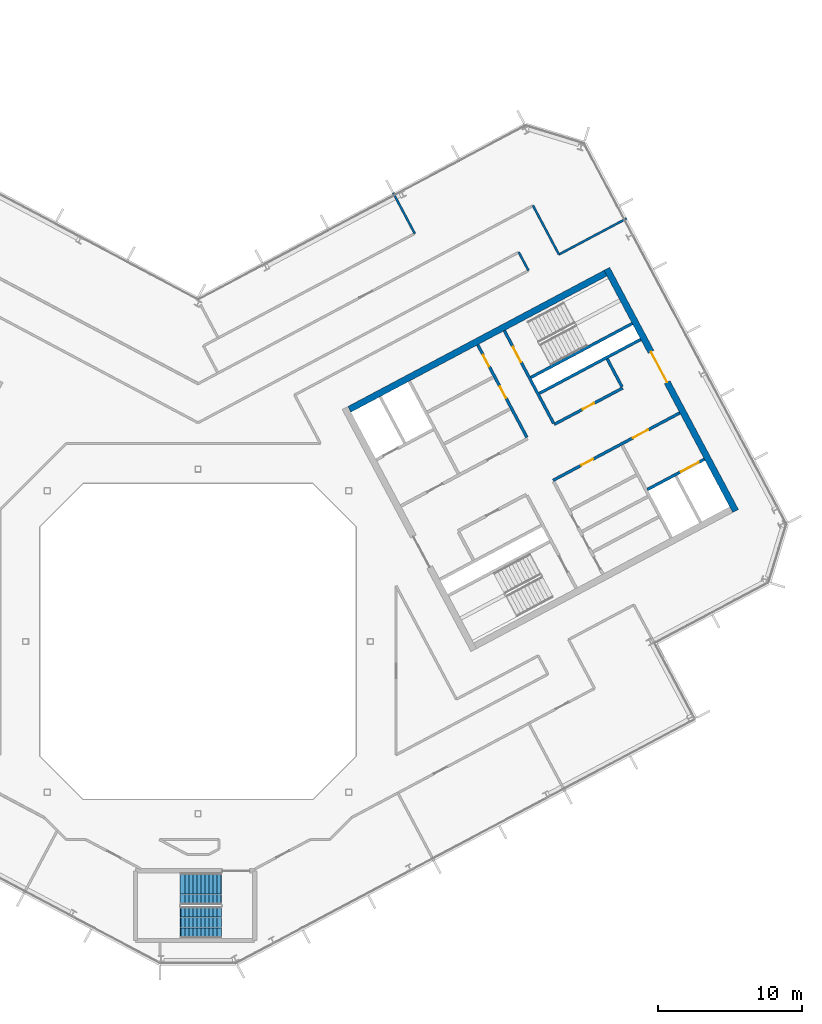
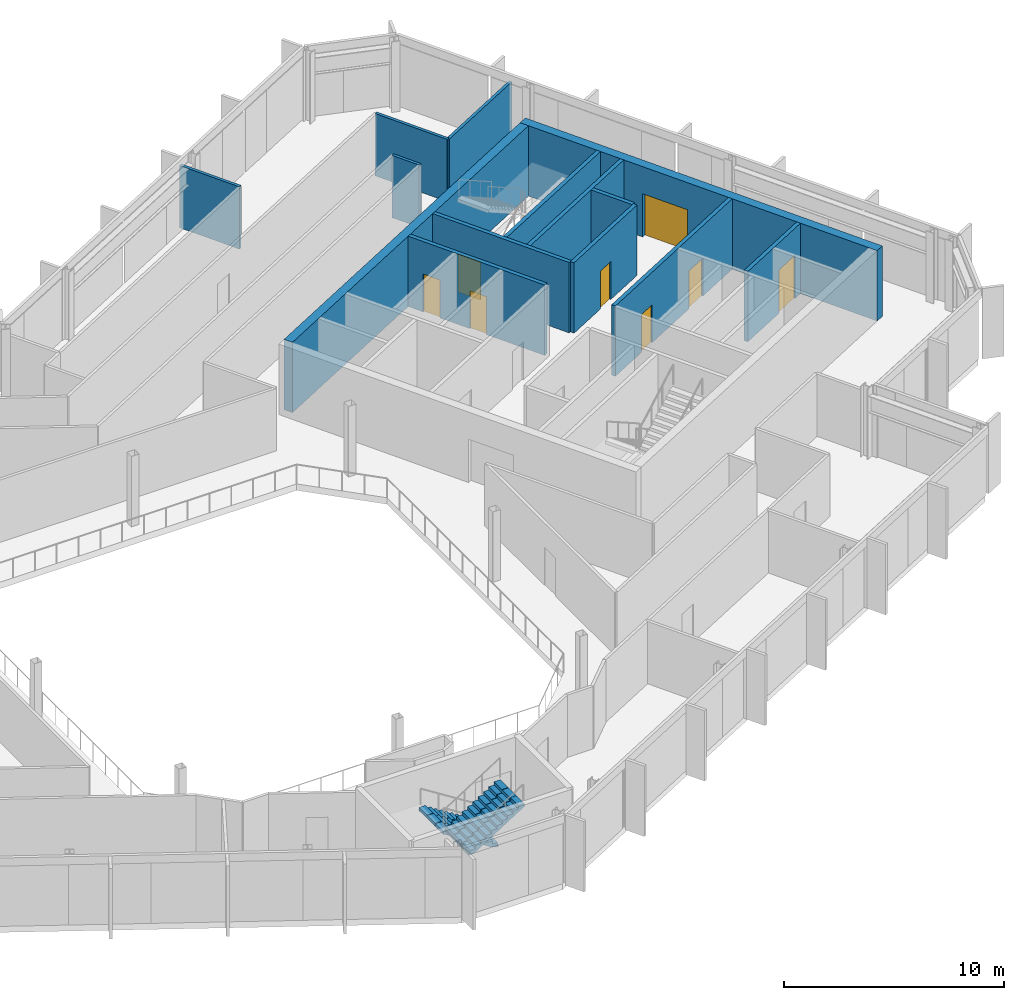
# One storey, part 17 of 26: 14 walls, 8 doors, 2 stair flights, 8 openings, 1 element without a shape of its own.
"""IFC4 building model written with IfcOpenShell, lengths in metres."""

from ifc_helpers import new_model, si_unit, direction, frame, frame_2d, origin, place, context, subcontext, project, spatial, polyline, rectangle, outline, extrude, material, layer, layer_set, type_object, element, fill, aggregate, save


model = new_model("IFC4")

# Units and contexts
model_context = context("Model", 3, precision=1e-05, world=origin(), true_north=direction((0.0, 1.0)))
body_context = subcontext(model_context, "Body", "Model", "MODEL_VIEW")
ifc_project = project(units=[si_unit("LENGTHUNIT", "METRE"), si_unit("AREAUNIT", "SQUARE_METRE"), si_unit("VOLUMEUNIT", "CUBIC_METRE"), si_unit("PLANEANGLEUNIT", "RADIAN"), si_unit("MASSUNIT", "GRAM", prefix="KILO")], contexts=[model_context])

# Site, building, storey
site_placement = place(None, origin())
site = spatial("IfcSite", under=ifc_project, at=site_placement, CompositionType="ELEMENT")
building_placement = place(site_placement, origin())
building = spatial("IfcBuilding", under=site, at=building_placement, Name="Cormorant Relay Tower", CompositionType="ELEMENT")
storey_placement = place(building_placement, frame((0.0, 0.0, 316.5)))
storey = spatial("IfcBuildingStorey", under=building, at=storey_placement, Name="L72", CompositionType="ELEMENT", Elevation=316.5)

# Wall, openings, doors
ifc_material_1 = material(Name="Concrete 50 MPa", Category="concrete")
ifc_layer_1 = layer(ifc_material_1, 0.199951171875)
ifc_layer_set_1 = layer_set([ifc_layer_1], Name="Core shaft wall 200")
wall_type_1 = type_object("IfcWallType", Name="Core shaft wall 200", PredefinedType="SHEAR", material=ifc_layer_set_1)
wall_1_placement = place(storey_placement, frame((22.90625, 14.218017578125, 0.0), z_axis=(0.0, 0.0, 1.0), x_axis=(-0.469480409012, 0.88294288918, 0.0)))
wall_1 = element("IfcWall", 1, at=wall_1_placement, inside=storey, type_object=wall_type_1, Name="L72 core B shaft wall", PredefinedType="SHEAR", context=body_context, shape_type="SweptSolid", body=[
    extrude(rectangle(XDim=7.300048828125, YDim=0.199951171875, at=frame_2d((3.64990234375, 0.0))), origin(), (0.0, 0.0, 1.0), 3.89990234375),
])
opening_1_placement = place(wall_1_placement, frame((3.10009765625, 0.0, 0.0)))
opening_1 = element("IfcOpeningElement", 2, at=opening_1_placement, cuts=wall_1, Name="Opening CDD-348", PredefinedType="OPENING", context=body_context, shape_type="SweptSolid", body=[
    extrude(rectangle(XDim=0.89990234375, YDim=2.10009765625, at=frame_2d((0.449951171875, 1.050048828125))), frame((0.0, 0.10986328125, 0.0), z_axis=(0.0, -1.0, 0.0), x_axis=(1.0, 0.0, 0.0)), (0.0, 0.0, 1.0), 0.219970703125),
])
opening_2_placement = place(wall_1_placement, frame((5.60009765625, 0.0, 0.0)))
opening_2 = element("IfcOpeningElement", 3, at=opening_2_placement, cuts=wall_1, Name="Opening CDD-349", PredefinedType="OPENING", context=body_context, shape_type="SweptSolid", body=[
    extrude(rectangle(XDim=0.89990234375, YDim=2.10009765625, at=frame_2d((0.449951171875, 1.050048828125))), frame((0.0, 0.10986328125, 0.0), z_axis=(0.0, -1.0, 0.0), x_axis=(1.0, 0.0, 0.0)), (0.0, 0.0, 1.0), 0.219970703125),
])
ifc_material_2 = material(Name="Steel fire door", Category="steel")
door_type_1 = type_object("IfcDoorType", Name="Core room door 900x2100", OperationType="SINGLE_SWING_LEFT", PredefinedType="DOOR", material=ifc_material_2)
door_1_placement = place(opening_1_placement, origin())
door_1 = element("IfcDoor", 4, at=door_1_placement, inside=storey, type_object=door_type_1, Name="Core room door 900x2100", OperationType="SINGLE_SWING_RIGHT", OverallHeight=2.10009765625, OverallWidth=0.89990234375, PredefinedType="DOOR", context=body_context, shape_type="SweptSolid", body=[
    extrude(rectangle(XDim=0.89990234375, YDim=2.10009765625, at=frame_2d((0.449951171875, 1.050048828125))), frame((0.0, 0.02490234375, 0.0), z_axis=(0.0, -1.0, 0.0), x_axis=(1.0, 0.0, 0.0)), (0.0, 0.0, 1.0), 0.050048828125),
])
fill(opening_1, door_1)
door_2_placement = place(opening_2_placement, origin())
door_2 = element("IfcDoor", 5, at=door_2_placement, inside=storey, type_object=door_type_1, Name="Core room door 900x2100", OperationType="SINGLE_SWING_LEFT", OverallHeight=2.10009765625, OverallWidth=0.89990234375, PredefinedType="DOOR", context=body_context, shape_type="SweptSolid", body=[
    extrude(rectangle(XDim=0.89990234375, YDim=2.10009765625, at=frame_2d((0.449951171875, 1.050048828125))), frame((0.0, 0.02490234375, 0.0), z_axis=(0.0, -1.0, 0.0), x_axis=(1.0, 0.0, 0.0)), (0.0, 0.0, 1.0), 0.050048828125),
])
fill(opening_2, door_2)

# Wall, opening, door
wall_2_placement = place(storey_placement, frame((24.760498046875, 15.2041015625, 0.0), z_axis=(0.0, 0.0, 1.0), x_axis=(-0.469494272526, 0.882935517501, 0.0)))
wall_2 = element("IfcWall", 6, at=wall_2_placement, inside=storey, type_object=wall_type_1, Name="L72 core B shaft wall", PredefinedType="SHEAR", context=body_context, shape_type="SweptSolid", body=[
    extrude(rectangle(XDim=7.2998046875, YDim=0.199951171875, at=frame_2d((3.64990234375, 0.0))), origin(), (0.0, 0.0, 1.0), 3.89990234375),
])
opening_3_placement = place(wall_2_placement, frame((4.800048828125, 0.0, 0.0)))
opening_3 = element("IfcOpeningElement", 7, at=opening_3_placement, cuts=wall_2, Name="Opening CDB-041", PredefinedType="OPENING", context=body_context, shape_type="SweptSolid", body=[
    extrude(rectangle(XDim=1.199951171875, YDim=2.10009765625, at=frame_2d((0.60009765625, 1.050048828125))), frame((0.0, 0.10986328125, 0.0), z_axis=(0.0, -1.0, 0.0), x_axis=(1.0, 0.0, 0.0)), (0.0, 0.0, 1.0), 0.219970703125),
])
ifc_material_3 = material(Name="Steel fire door", Category="steel")
door_type_2 = type_object("IfcDoorType", Name="Core stair door 1200x2100", OperationType="SINGLE_SWING_LEFT", PredefinedType="DOOR", material=ifc_material_3)
door_3_placement = place(opening_3_placement, frame((1.199951171875, 0.0, 0.0), z_axis=(0.0, 0.0, 1.0), x_axis=(-1.0, 0.0, 0.0)))
door_3 = element("IfcDoor", 8, at=door_3_placement, inside=storey, type_object=door_type_2, Name="Core stair door 1200x2100", OperationType="SINGLE_SWING_RIGHT", OverallHeight=2.10009765625, OverallWidth=1.199951171875, PredefinedType="DOOR", context=body_context, shape_type="SweptSolid", body=[
    extrude(rectangle(XDim=1.199951171875, YDim=2.10009765625, at=frame_2d((0.60009765625, 1.050048828125))), frame((0.0, 0.02490234375, 0.0), z_axis=(0.0, -1.0, 0.0), x_axis=(1.0, 0.0, 0.0)), (0.0, 0.0, 1.0), 0.050048828125),
])
fill(opening_3, door_3)

# Wall
wall_3_placement = place(storey_placement, frame((29.5283203125, 17.739013671875, 0.0), z_axis=(0.0, 0.0, 1.0), x_axis=(-0.469401318492, 0.882984938828, 0.0)))
element("IfcWall", 9, at=wall_3_placement, inside=storey, type_object=wall_type_1, Name="L72 core B shaft wall", PredefinedType="SHEAR", context=body_context, shape_type="SweptSolid", body=[
    extrude(rectangle(XDim=2.199951171875, YDim=0.199951171875, at=frame_2d((1.10009765625, 0.0))), origin(), (0.0, 0.0, 1.0), 3.89990234375),
])

# Wall, opening, door
wall_4_placement = place(storey_placement, frame((31.295654296875, 10.5810546875, 0.0), z_axis=(0.0, 0.0, 1.0), x_axis=(0.882960433586, 0.469447412093, 0.0)))
wall_4 = element("IfcWall", 10, at=wall_4_placement, inside=storey, type_object=wall_type_1, Name="L72 core B shaft wall", PredefinedType="SHEAR", context=body_context, shape_type="SweptSolid", body=[
    extrude(rectangle(XDim=4.5, YDim=0.199951171875, at=frame_2d((2.25, 0.0))), origin(), (0.0, 0.0, 1.0), 3.89990234375),
])
opening_4_placement = place(wall_4_placement, frame((2.64990234375, 0.0, 0.0)))
opening_4 = element("IfcOpeningElement", 11, at=opening_4_placement, cuts=wall_4, Name="Opening LD3-016", PredefinedType="OPENING", context=body_context, shape_type="SweptSolid", body=[
    extrude(rectangle(XDim=1.39990234375, YDim=2.39990234375, at=frame_2d((0.699951171875, 1.199951171875))), frame((0.0, 0.10986328125, 0.0), z_axis=(0.0, -1.0, 0.0), x_axis=(1.0, 0.0, 0.0)), (0.0, 0.0, 1.0), 0.219970703125),
])
ifc_material_4 = material(Name="Stainless steel 316", Category="steel")
door_type_3 = type_object("IfcDoorType", Name="Lift landing door 1400x2400", OperationType="DOUBLE_DOOR_SLIDING", PredefinedType="DOOR", material=ifc_material_4)
door_4_placement = place(opening_4_placement, origin())
door_4 = element("IfcDoor", 12, at=door_4_placement, inside=storey, type_object=door_type_3, Name="SV2 landing door", OperationType="DOUBLE_DOOR_SLIDING", OverallHeight=2.39990234375, OverallWidth=1.39990234375, PredefinedType="DOOR", context=body_context, shape_type="SweptSolid", body=[
    extrude(rectangle(XDim=1.39990234375, YDim=2.39990234375, at=frame_2d((0.699951171875, 1.199951171875))), frame((0.0, 0.02490234375, 0.0), z_axis=(0.0, -1.0, 0.0), x_axis=(1.0, 0.0, 0.0)), (0.0, 0.0, 1.0), 0.050048828125),
])
fill(opening_4, door_4)

# Wall, openings, doors
wall_5_placement = place(storey_placement, frame((24.72607421875, 11.2216796875, 0.0), z_axis=(0.0, 0.0, 1.0), x_axis=(0.882940221191, 0.469485426614, 0.0)))
wall_5 = element("IfcWall", 13, at=wall_5_placement, inside=storey, type_object=wall_type_1, Name="L72 core B shaft wall", PredefinedType="SHEAR", context=body_context, shape_type="SweptSolid", body=[
    extrude(rectangle(XDim=10.0, YDim=0.199951171875, at=frame_2d((5.0, 0.0))), origin(), (0.0, 0.0, 1.0), 3.89990234375),
])
opening_5_placement = place(wall_5_placement, frame((6.300048828125, 0.0, 0.0)))
opening_5 = element("IfcOpeningElement", 14, at=opening_5_placement, cuts=wall_5, Name="Opening CDC-038", PredefinedType="OPENING", context=body_context, shape_type="SweptSolid", body=[
    extrude(rectangle(XDim=1.199951171875, YDim=2.10009765625, at=frame_2d((0.60009765625, 1.050048828125))), frame((0.0, 0.10986328125, 0.0), z_axis=(0.0, -1.0, 0.0), x_axis=(1.0, 0.0, 0.0)), (0.0, 0.0, 1.0), 0.219970703125),
])
opening_6_placement = place(wall_5_placement, frame((2.25, 0.0, 0.0)))
opening_6 = element("IfcOpeningElement", 15, at=opening_6_placement, cuts=wall_5, Name="Opening CDD-332", PredefinedType="OPENING", context=body_context, shape_type="SweptSolid", body=[
    extrude(rectangle(XDim=0.89990234375, YDim=2.10009765625, at=frame_2d((0.449951171875, 1.050048828125))), frame((0.0, 0.10986328125, 0.0), z_axis=(0.0, -1.0, 0.0), x_axis=(1.0, 0.0, 0.0)), (0.0, 0.0, 1.0), 0.219970703125),
])
ifc_material_5 = material(Name="Steel fire door", Category="steel")
door_type_4 = type_object("IfcDoorType", Name="Core lobby door 1200x2100", OperationType="SINGLE_SWING_LEFT", PredefinedType="DOOR", material=ifc_material_5)
door_5_placement = place(opening_5_placement, origin())
door_5 = element("IfcDoor", 16, at=door_5_placement, inside=storey, type_object=door_type_4, Name="Core lobby door 1200x2100", OperationType="SINGLE_SWING_LEFT", OverallHeight=2.10009765625, OverallWidth=1.199951171875, PredefinedType="DOOR", context=body_context, shape_type="SweptSolid", body=[
    extrude(rectangle(XDim=1.199951171875, YDim=2.10009765625, at=frame_2d((0.60009765625, 1.050048828125))), frame((0.0, 0.02490234375, 0.0), z_axis=(0.0, -1.0, 0.0), x_axis=(1.0, 0.0, 0.0)), (0.0, 0.0, 1.0), 0.050048828125),
])
fill(opening_5, door_5)
door_6_placement = place(opening_6_placement, origin())
door_6 = element("IfcDoor", 17, at=door_6_placement, inside=storey, type_object=door_type_1, Name="Core room door 900x2100", OperationType="SINGLE_SWING_LEFT", OverallHeight=2.10009765625, OverallWidth=0.89990234375, PredefinedType="DOOR", context=body_context, shape_type="SweptSolid", body=[
    extrude(rectangle(XDim=0.89990234375, YDim=2.10009765625, at=frame_2d((0.449951171875, 1.050048828125))), frame((0.0, 0.02490234375, 0.0), z_axis=(0.0, -1.0, 0.0), x_axis=(1.0, 0.0, 0.0)), (0.0, 0.0, 1.0), 0.050048828125),
])
fill(opening_6, door_6)

# Wall, opening, door
wall_6_placement = place(storey_placement, frame((24.807373046875, 15.11572265625, 0.0), z_axis=(0.0, 0.0, 1.0), x_axis=(0.882942972946, 0.469480251476, 0.0)))
wall_6 = element("IfcWall", 18, at=wall_6_placement, inside=storey, type_object=wall_type_1, Name="L72 core B shaft wall", PredefinedType="SHEAR", context=body_context, shape_type="SweptSolid", body=[
    extrude(rectangle(XDim=5.39990234375, YDim=0.199951171875, at=frame_2d((2.699951171875, 0.0))), origin(), (0.0, 0.0, 1.0), 3.89990234375),
])
opening_7_placement = place(wall_6_placement, frame((2.25, 0.0, 0.0)))
opening_7 = element("IfcOpeningElement", 19, at=opening_7_placement, cuts=wall_6, Name="Opening CDD-261", PredefinedType="OPENING", context=body_context, shape_type="SweptSolid", body=[
    extrude(rectangle(XDim=0.89990234375, YDim=2.10009765625, at=frame_2d((0.449951171875, 1.050048828125))), frame((0.0, 0.10986328125, 0.0), z_axis=(0.0, -1.0, 0.0), x_axis=(1.0, 0.0, 0.0)), (0.0, 0.0, 1.0), 0.219970703125),
])
door_7_placement = place(opening_7_placement, origin())
door_7 = element("IfcDoor", 20, at=door_7_placement, inside=storey, type_object=door_type_1, Name="Core room door 900x2100", OperationType="SINGLE_SWING_LEFT", OverallHeight=2.10009765625, OverallWidth=0.89990234375, PredefinedType="DOOR", context=body_context, shape_type="SweptSolid", body=[
    extrude(rectangle(XDim=0.89990234375, YDim=2.10009765625, at=frame_2d((0.449951171875, 1.050048828125))), frame((0.0, 0.02490234375, 0.0), z_axis=(0.0, -1.0, 0.0), x_axis=(1.0, 0.0, 0.0)), (0.0, 0.0, 1.0), 0.050048828125),
])
fill(opening_7, door_7)

# Walls
wall_7_placement = place(storey_placement, frame((23.76904296875, 17.28173828125, 0.0), z_axis=(0.0, 0.0, 1.0), x_axis=(0.882940221191, 0.469485426614, 0.0)))
element("IfcWall", 21, at=wall_7_placement, inside=storey, type_object=wall_type_1, Name="L72 core B shaft wall", PredefinedType="SHEAR", context=body_context, shape_type="SweptSolid", body=[
    extrude(rectangle(XDim=8.0, YDim=0.199951171875, at=frame_2d((4.0, 0.0))), origin(), (0.0, 0.0, 1.0), 3.89990234375),
])
wall_8_placement = place(storey_placement, frame((23.18212890625, 18.385498046875, 0.0), z_axis=(0.0, 0.0, 1.0), x_axis=(0.88295287151, 0.469461634952, 0.0)))
element("IfcWall", 22, at=wall_8_placement, inside=storey, type_object=wall_type_1, Name="L72 core B shaft wall", PredefinedType="SHEAR", context=body_context, shape_type="SweptSolid", body=[
    extrude(rectangle(XDim=7.999755859375, YDim=0.199951171875, at=frame_2d((4.0, 0.0))), origin(), (0.0, 0.0, 1.0), 3.89990234375),
])

# Wall, opening, door
ifc_material_6 = material(Name="Concrete 50 MPa", Category="concrete")
ifc_layer_2 = layer(ifc_material_6, 0.449951171875)
ifc_layer_set_2 = layer_set([ifc_layer_2], Name="Core wall 450")
wall_type_2 = type_object("IfcWallType", Name="Core wall 450", PredefinedType="SHEAR", material=ifc_layer_set_2)
wall_9_placement = place(storey_placement, frame((37.439453125, 9.0908203125, 0.0), z_axis=(0.0, 0.0, 1.0), x_axis=(-0.469467968382, 0.882949504028, 0.0)))
wall_9 = element("IfcWall", 23, at=wall_9_placement, inside=storey, type_object=wall_type_2, Name="L72 core B wall", PredefinedType="SHEAR", context=body_context, shape_type="SweptSolid", body=[
    extrude(rectangle(XDim=19.099853515625, YDim=0.449951171875, at=frame_2d((9.5498046875, 0.0))), origin(), (0.0, 0.0, 1.0), 3.89990234375),
])
opening_8_placement = place(wall_9_placement, frame((10.14990234375, 0.0, 0.0)))
opening_8 = element("IfcOpeningElement", 24, at=opening_8_placement, cuts=wall_9, Name="Opening CDA-053", PredefinedType="OPENING", context=body_context, shape_type="SweptSolid", body=[
    extrude(rectangle(XDim=2.39990234375, YDim=2.39990234375, at=frame_2d((1.199951171875, 1.199951171875))), frame((0.0, 0.23486328125, 0.0), z_axis=(0.0, -1.0, 0.0), x_axis=(1.0, 0.0, 0.0)), (0.0, 0.0, 1.0), 0.469970703125),
])
ifc_material_7 = material(Name="Steel fire door", Category="steel")
door_type_5 = type_object("IfcDoorType", Name="Core lobby door 2400x2400", OperationType="DOUBLE_DOOR_SINGLE_SWING", PredefinedType="DOOR", material=ifc_material_7)
door_8_placement = place(opening_8_placement, origin())
door_8 = element("IfcDoor", 25, at=door_8_placement, inside=storey, type_object=door_type_5, Name="Core lobby door 2400x2400", OperationType="DOUBLE_DOOR_SINGLE_SWING", OverallHeight=2.39990234375, OverallWidth=2.39990234375, PredefinedType="DOOR", context=body_context, shape_type="SweptSolid", body=[
    extrude(rectangle(XDim=2.39990234375, YDim=2.39990234375, at=frame_2d((1.199951171875, 1.199951171875))), frame((0.0, 0.02490234375, 0.0), z_axis=(0.0, -1.0, 0.0), x_axis=(1.0, 0.0, 0.0)), (0.0, 0.0, 1.0), 0.050048828125),
])
fill(opening_8, door_8)

# Walls
wall_10_placement = place(storey_placement, frame((10.5439453125, 16.16748046875, 0.0), z_axis=(0.0, 0.0, 1.0), x_axis=(0.882947755831, 0.46947125628, 0.0)))
element("IfcWall", 26, at=wall_10_placement, inside=storey, type_object=wall_type_2, Name="L72 core B wall", PredefinedType="SHEAR", context=body_context, shape_type="SweptSolid", body=[
    extrude(rectangle(XDim=20.2001953125, YDim=0.449951171875, at=frame_2d((10.10009765625, 0.0))), origin(), (0.0, 0.0, 1.0), 3.89990234375),
])
ifc_material_8 = material(Name="Gypsum board fire partition")
ifc_layer_3 = layer(ifc_material_8, 0.14990234375)
ifc_layer_set_3 = layer_set([ifc_layer_3], Name="Corridor partition 150 EI 60")
wall_type_3 = type_object("IfcWallType", Name="Corridor partition 150 EI 60", PredefinedType="PARTITIONING", material=ifc_layer_set_3)
wall_11_placement = place(storey_placement, frame((22.3369140625, 27.110107421875, 0.0), z_axis=(0.0, 0.0, 1.0), x_axis=(0.46976654726, -0.882790683614, 0.0)))
element("IfcWall", 27, at=wall_11_placement, inside=storey, type_object=wall_type_3, Name="wall/L72/part/018", PredefinedType="PARTITIONING", context=body_context, shape_type="SweptSolid", body=[
    extrude(rectangle(XDim=1.449951171875, YDim=0.14990234375, at=frame_2d((0.72509765625, 0.0))), origin(), (0.0, 0.0, 1.0), 3.449951171875),
])
wall_12_placement = place(storey_placement, frame((29.862060546875, 29.466064453125, 0.0), z_axis=(0.0, 0.0, 1.0), x_axis=(-0.882849858528, -0.469655328191, 0.0)))
element("IfcWall", 28, at=wall_12_placement, inside=storey, type_object=wall_type_3, Name="wall/L72/part/063", PredefinedType="PARTITIONING", context=body_context, shape_type="SweptSolid", body=[
    extrude(rectangle(XDim=5.353271484375, YDim=0.14990234375, at=frame_2d((2.6767578125, 0.0))), origin(), (0.0, 0.0, 1.0), 3.449951171875),
])
wall_13_placement = place(storey_placement, frame((25.135986328125, 26.951904296875, 0.0), z_axis=(0.0, 0.0, 1.0), x_axis=(-0.468650225043, 0.883383816111, 0.0)))
element("IfcWall", 29, at=wall_13_placement, inside=storey, type_object=wall_type_3, Name="wall/L72/part/064", PredefinedType="PARTITIONING", context=body_context, shape_type="SweptSolid", body=[
    extrude(rectangle(XDim=3.853515625, YDim=0.14990234375, at=frame_2d((1.9267578125, 0.0))), origin(), (0.0, 0.0, 1.0), 3.449951171875),
])
ifc_material_9 = material(Name="Gypsum board partition")
ifc_layer_4 = layer(ifc_material_9, 0.14990234375)
ifc_layer_set_4 = layer_set([ifc_layer_4], Name="Tenant partition 150")
wall_type_4 = type_object("IfcWallType", Name="Tenant partition 150", PredefinedType="PARTITIONING", material=ifc_layer_set_4)
wall_14_placement = place(storey_placement, frame((15.094970703125, 28.412109375, 0.0), z_axis=(0.0, 0.0, 1.0), x_axis=(-0.469320691295, 0.883027796121, 0.0)))
element("IfcWall", 30, at=wall_14_placement, inside=storey, type_object=wall_type_4, Name="wall/L72/part/054", PredefinedType="PARTITIONING", context=body_context, shape_type="SweptSolid", body=[
    extrude(rectangle(XDim=3.2001953125, YDim=0.14990234375, at=frame_2d((1.60009765625, 0.0))), origin(), (0.0, 0.0, 1.0), 3.449951171875),
])

# Stair, stair flights
ifc_material_10 = material(Name="Concrete 40 MPa", Category="concrete")
stair_type = type_object("IfcStairType", Name="Remote exit stair 2200", PredefinedType="HALF_TURN_STAIR", material=ifc_material_10)
stair_placement = place(storey_placement, origin())
stair = element("IfcStair", 31, at=stair_placement, inside=storey, type_object=stair_type, Name="L72 Stair", PredefinedType="HALF_TURN_STAIR")
ifc_material_11 = material(Name="Concrete 40 MPa", Category="concrete")
stair_flight_type = type_object("IfcStairFlightType", Name="Remote exit stair flight 2200", PredefinedType="STRAIGHT", material=ifc_material_11)
stair_flight_1_placement = place(storey_placement, frame((1.60009765625, -17.22509765625, 0.0), z_axis=(0.0, 0.0, 1.0), x_axis=(-1.0, 0.0, 0.0)))
stair_flight_1 = element("IfcStairFlight", 32, at=stair_flight_1_placement, type_object=stair_flight_type, Name="RK1 flight 1", NumberOfRisers=11, NumberOfTreads=10, PredefinedType="STRAIGHT", RiserHeight=0.177272727, TreadLength=0.28, context=body_context, shape_type="SweptSolid", body=[
    extrude(outline(polyline([(-0.050048828125, -0.080078125), (-0.050048828125, 0.0), (0.0, 0.0), (0.0, 0.17724609375), (0.280029296875, 0.17724609375), (0.280029296875, 0.3544921875), (0.56005859375, 0.3544921875), (0.56005859375, 0.53173828125), (0.840087890625, 0.53173828125), (0.840087890625, 0.708984375), (1.1201171875, 0.708984375), (1.1201171875, 0.886474609375), (1.39990234375, 0.886474609375), (1.39990234375, 1.063720703125), (1.679931640625, 1.063720703125), (1.679931640625, 1.240966796875), (1.9599609375, 1.240966796875), (1.9599609375, 1.418212890625), (2.239990234375, 1.418212890625), (2.239990234375, 1.595458984375), (2.52001953125, 1.595458984375), (2.52001953125, 1.772705078125), (2.800048828125, 1.772705078125), (2.85009765625, 1.772705078125), (2.85009765625, 1.59521484375), (2.800048828125, 1.59521484375), (0.2802734375, 0.0), (-0.050048828125, -0.080078125)])), frame((0.0, 1.10009765625, 0.0), z_axis=(0.0, -1.0, 0.0), x_axis=(1.0, 0.0, 0.0)), (0.0, 0.0, 1.0), 0.719970703125),
    extrude(outline(polyline([(-0.050048828125, -0.080078125), (-0.050048828125, 0.0), (0.0, 0.0), (0.0, 0.17724609375), (0.280029296875, 0.17724609375), (0.280029296875, 0.3544921875), (0.56005859375, 0.3544921875), (0.56005859375, 0.53173828125), (0.840087890625, 0.53173828125), (0.840087890625, 0.708984375), (1.1201171875, 0.708984375), (1.1201171875, 0.886474609375), (1.39990234375, 0.886474609375), (1.39990234375, 1.063720703125), (1.679931640625, 1.063720703125), (1.679931640625, 1.240966796875), (1.9599609375, 1.240966796875), (1.9599609375, 1.418212890625), (2.239990234375, 1.418212890625), (2.239990234375, 1.595458984375), (2.52001953125, 1.595458984375), (2.52001953125, 1.772705078125), (2.800048828125, 1.772705078125), (2.85009765625, 1.772705078125), (2.85009765625, 1.59521484375), (2.800048828125, 1.59521484375), (0.2802734375, 0.0), (-0.050048828125, -0.080078125)])), frame((0.0, 0.360107421875, 0.0), z_axis=(0.0, -1.0, 0.0), x_axis=(1.0, 0.0, 0.0)), (0.0, 0.0, 1.0), 0.719970703125),
    extrude(outline(polyline([(-0.050048828125, -0.080078125), (-0.050048828125, 0.0), (0.0, 0.0), (0.0, 0.17724609375), (0.280029296875, 0.17724609375), (0.280029296875, 0.3544921875), (0.56005859375, 0.3544921875), (0.56005859375, 0.53173828125), (0.840087890625, 0.53173828125), (0.840087890625, 0.708984375), (1.1201171875, 0.708984375), (1.1201171875, 0.886474609375), (1.39990234375, 0.886474609375), (1.39990234375, 1.063720703125), (1.679931640625, 1.063720703125), (1.679931640625, 1.240966796875), (1.9599609375, 1.240966796875), (1.9599609375, 1.418212890625), (2.239990234375, 1.418212890625), (2.239990234375, 1.595458984375), (2.52001953125, 1.595458984375), (2.52001953125, 1.772705078125), (2.800048828125, 1.772705078125), (2.85009765625, 1.772705078125), (2.85009765625, 1.59521484375), (2.800048828125, 1.59521484375), (0.2802734375, 0.0), (-0.050048828125, -0.080078125)])), frame((0.0, -0.3798828125, 0.0), z_axis=(0.0, -1.0, 0.0), x_axis=(1.0, 0.0, 0.0)), (0.0, 0.0, 1.0), 0.719970703125),
])
stair_flight_2_placement = place(storey_placement, frame((-1.199951171875, -19.574951171875, 1.949951171875), z_axis=(0.0, 0.0, 1.0), x_axis=(1.0, 0.0, 0.0)))
stair_flight_2 = element("IfcStairFlight", 33, at=stair_flight_2_placement, type_object=stair_flight_type, Name="RK1 flight 2", NumberOfRisers=11, NumberOfTreads=10, PredefinedType="STRAIGHT", RiserHeight=0.177272727, TreadLength=0.28, context=body_context, shape_type="SweptSolid", body=[
    extrude(outline(polyline([(-0.050048828125, -0.080078125), (-0.050048828125, 0.0), (0.0, 0.0), (0.0, 0.17724609375), (0.280029296875, 0.17724609375), (0.280029296875, 0.3544921875), (0.56005859375, 0.3544921875), (0.56005859375, 0.53173828125), (0.840087890625, 0.53173828125), (0.840087890625, 0.708984375), (1.1201171875, 0.708984375), (1.1201171875, 0.886474609375), (1.39990234375, 0.886474609375), (1.39990234375, 1.063720703125), (1.679931640625, 1.063720703125), (1.679931640625, 1.240966796875), (1.9599609375, 1.240966796875), (1.9599609375, 1.418212890625), (2.239990234375, 1.418212890625), (2.239990234375, 1.595458984375), (2.52001953125, 1.595458984375), (2.52001953125, 1.772705078125), (2.800048828125, 1.772705078125), (2.85009765625, 1.772705078125), (2.85009765625, 1.59521484375), (2.800048828125, 1.59521484375), (0.2802734375, 0.0), (-0.050048828125, -0.080078125)])), frame((0.0, 1.10009765625, 0.0), z_axis=(0.0, -1.0, 0.0), x_axis=(1.0, 0.0, 0.0)), (0.0, 0.0, 1.0), 0.719970703125),
    extrude(outline(polyline([(-0.050048828125, -0.080078125), (-0.050048828125, 0.0), (0.0, 0.0), (0.0, 0.17724609375), (0.280029296875, 0.17724609375), (0.280029296875, 0.3544921875), (0.56005859375, 0.3544921875), (0.56005859375, 0.53173828125), (0.840087890625, 0.53173828125), (0.840087890625, 0.708984375), (1.1201171875, 0.708984375), (1.1201171875, 0.886474609375), (1.39990234375, 0.886474609375), (1.39990234375, 1.063720703125), (1.679931640625, 1.063720703125), (1.679931640625, 1.240966796875), (1.9599609375, 1.240966796875), (1.9599609375, 1.418212890625), (2.239990234375, 1.418212890625), (2.239990234375, 1.595458984375), (2.52001953125, 1.595458984375), (2.52001953125, 1.772705078125), (2.800048828125, 1.772705078125), (2.85009765625, 1.772705078125), (2.85009765625, 1.59521484375), (2.800048828125, 1.59521484375), (0.2802734375, 0.0), (-0.050048828125, -0.080078125)])), frame((0.0, 0.360107421875, 0.0), z_axis=(0.0, -1.0, 0.0), x_axis=(1.0, 0.0, 0.0)), (0.0, 0.0, 1.0), 0.719970703125),
    extrude(outline(polyline([(-0.050048828125, -0.080078125), (-0.050048828125, 0.0), (0.0, 0.0), (0.0, 0.17724609375), (0.280029296875, 0.17724609375), (0.280029296875, 0.3544921875), (0.56005859375, 0.3544921875), (0.56005859375, 0.53173828125), (0.840087890625, 0.53173828125), (0.840087890625, 0.708984375), (1.1201171875, 0.708984375), (1.1201171875, 0.886474609375), (1.39990234375, 0.886474609375), (1.39990234375, 1.063720703125), (1.679931640625, 1.063720703125), (1.679931640625, 1.240966796875), (1.9599609375, 1.240966796875), (1.9599609375, 1.418212890625), (2.239990234375, 1.418212890625), (2.239990234375, 1.595458984375), (2.52001953125, 1.595458984375), (2.52001953125, 1.772705078125), (2.800048828125, 1.772705078125), (2.85009765625, 1.772705078125), (2.85009765625, 1.59521484375), (2.800048828125, 1.59521484375), (0.2802734375, 0.0), (-0.050048828125, -0.080078125)])), frame((0.0, -0.3798828125, 0.0), z_axis=(0.0, -1.0, 0.0), x_axis=(1.0, 0.0, 0.0)), (0.0, 0.0, 1.0), 0.719970703125),
])
aggregate(stair, [stair_flight_1, stair_flight_2])

save(model, "model.ifc")
